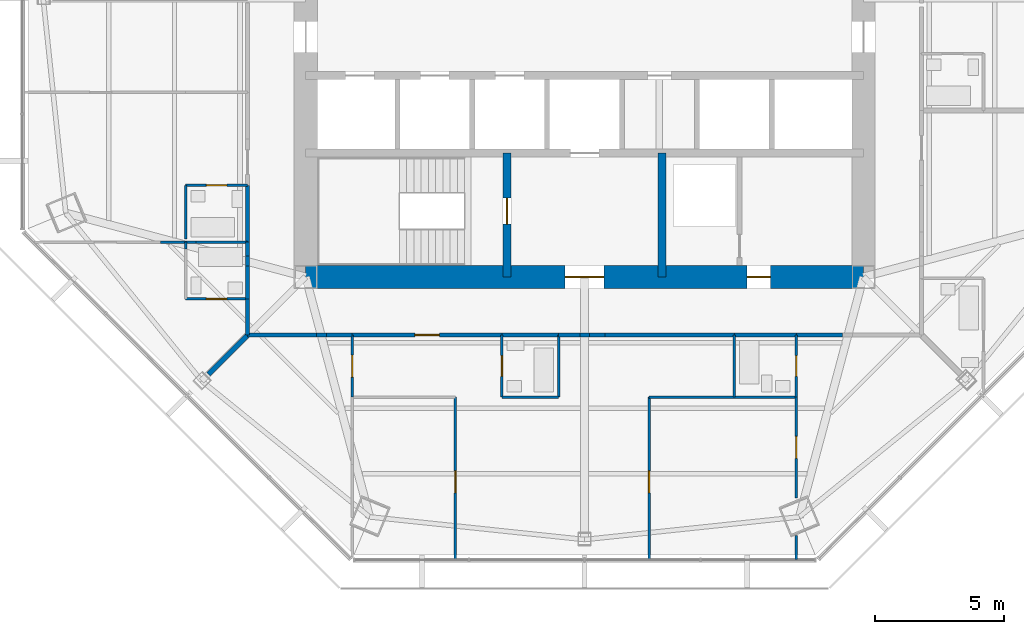
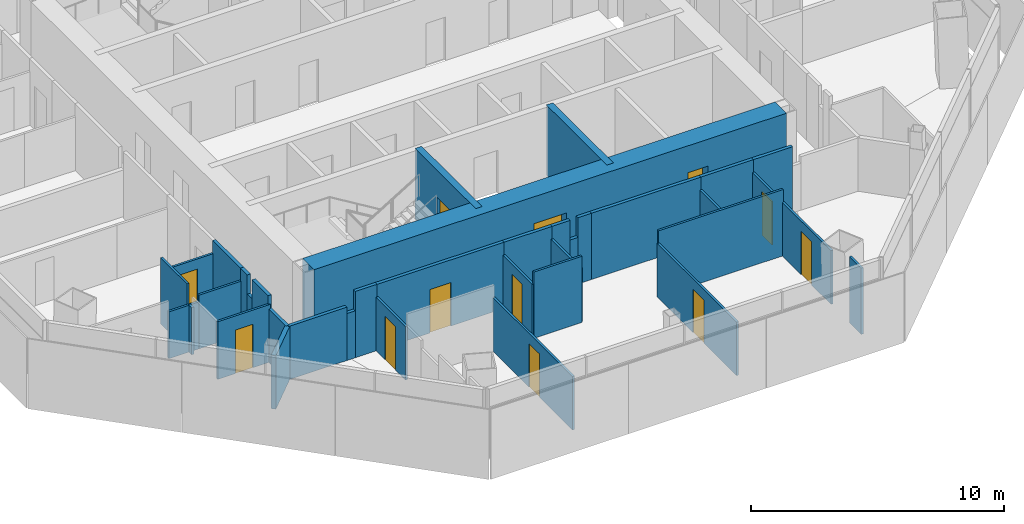
# One storey, part 9 of 15: 37 walls, 12 doors, 12 openings.
"""IFC4 building model written with IfcOpenShell, lengths in metres."""

from ifc_helpers import new_model, si_unit, direction, frame, frame_2d, origin, place, context, subcontext, project, spatial, rectangle, extrude, material, layer, layer_set, type_object, element, fill, save


model = new_model("IFC4")

# Units and contexts
model_context = context("Model", 3, precision=1e-05, world=origin(), true_north=direction((0.0, 1.0)))
body_context = subcontext(model_context, "Body", "Model", "MODEL_VIEW")
ifc_project = project(units=[si_unit("LENGTHUNIT", "METRE"), si_unit("AREAUNIT", "SQUARE_METRE"), si_unit("VOLUMEUNIT", "CUBIC_METRE"), si_unit("PLANEANGLEUNIT", "RADIAN"), si_unit("MASSUNIT", "GRAM", prefix="KILO")], contexts=[model_context])

# Site, building, storey
site_placement = place(None, origin())
site = spatial("IfcSite", under=ifc_project, at=site_placement, CompositionType="ELEMENT")
building_placement = place(site_placement, origin())
building = spatial("IfcBuilding", under=site, at=building_placement, Name="Mashrafa Tower", CompositionType="ELEMENT")
storey_placement = place(building_placement, frame((0.0, 0.0, 221.0)))
storey = spatial("IfcBuildingStorey", under=building, at=storey_placement, Name="L51", CompositionType="ELEMENT", Elevation=221.0)

# Wall
ifc_material_1 = material(Name="Gypsum board on steel studs", Category="steel")
ifc_layer_1 = layer(ifc_material_1, 0.199951171875)
ifc_layer_set_1 = layer_set([ifc_layer_1], Name="Acoustic partition 200 1 hr")
wall_type_1 = type_object("IfcWallType", Name="Acoustic partition 200 1 hr", PredefinedType="PARTITIONING", material=ifc_layer_set_1)
wall_1_placement = place(storey_placement, frame((-14.564697265625, -14.564697265625, 0.0), z_axis=(0.0, 0.0, 1.0), x_axis=(0.707106781187, 0.707106781187, 0.0)))
element("IfcWall", 1, at=wall_1_placement, inside=storey, type_object=wall_type_1, Name="Acoustic wall L51-105", PredefinedType="PARTITIONING", context=body_context, shape_type="SweptSolid", body=[
    extrude(rectangle(XDim=2.14208984375, YDim=0.199951171875, at=frame_2d((1.071044921875, 0.0))), origin(), (0.0, 0.0, 1.0), 2.577880859375),
])

# Wall, opening, door
ifc_material_2 = material(Name="Concrete C50/60", Category="concrete")
ifc_layer_2 = layer(ifc_material_2, 0.300048828125)
ifc_layer_set_2 = layer_set([ifc_layer_2], Name="Core wall 300 C50/60")
wall_type_2 = type_object("IfcWallType", Name="Core wall 300 C50/60", PredefinedType="SOLIDWALL", material=ifc_layer_set_2)
wall_2_placement = place(storey_placement, frame((-3.0, -6.0, 0.0), z_axis=(0.0, 0.0, 1.0), x_axis=(0.0, -1.0, 0.0)))
wall_2 = element("IfcWall", 2, at=wall_2_placement, inside=storey, type_object=wall_type_2, Name="Core wall CX-SW L51", PredefinedType="SOLIDWALL", context=body_context, shape_type="SweptSolid", body=[
    extrude(rectangle(XDim=4.800048828125, YDim=0.300048828125, at=frame_2d((2.39990234375, 0.0))), origin(), (0.0, 0.0, 1.0), 3.39990234375),
])
opening_1_placement = place(wall_2_placement, frame((1.75, 0.0, 0.0)))
opening_1 = element("IfcOpeningElement", 3, at=opening_1_placement, cuts=wall_2, Name="Opening 51.038", PredefinedType="OPENING", context=body_context, shape_type="SweptSolid", body=[
    extrude(rectangle(XDim=1.0, YDim=2.10009765625, at=frame_2d((0.5, 1.050048828125))), frame((0.0, 0.159912109375, 0.0), z_axis=(0.0, -1.0, 0.0), x_axis=(1.0, 0.0, 0.0)), (0.0, 0.0, 1.0), 0.320068359375),
])
ifc_material_3 = material(Name="Steel door", Category="steel")
door_type_1 = type_object("IfcDoorType", Name="Stair door 1000 x 2100 90 min", OperationType="USERDEFINED", PredefinedType="DOOR", material=ifc_material_3)
door_1_placement = place(opening_1_placement, frame((1.0, 0.0, 0.0), z_axis=(0.0, 0.0, 1.0), x_axis=(-1.0, 0.0, 0.0)))
door_1 = element("IfcDoor", 4, at=door_1_placement, inside=storey, type_object=door_type_1, Name="Stair S3 door L51", OperationType="SINGLE_SWING_RIGHT", OverallHeight=2.10009765625, OverallWidth=1.0, PredefinedType="DOOR", context=body_context, shape_type="SweptSolid", body=[
    extrude(rectangle(XDim=1.0, YDim=2.10009765625, at=frame_2d((0.5, 1.050048828125))), frame((0.0, 0.02490234375, 0.0), z_axis=(0.0, -1.0, 0.0), x_axis=(1.0, 0.0, 0.0)), (0.0, 0.0, 1.0), 0.050048828125),
])
fill(opening_1, door_1)

# Wall
wall_3_placement = place(storey_placement, frame((3.0, -6.0, 0.0), z_axis=(0.0, 0.0, 1.0), x_axis=(0.0, -1.0, 0.0)))
element("IfcWall", 5, at=wall_3_placement, inside=storey, type_object=wall_type_2, Name="Core wall CX-SE L51", PredefinedType="SOLIDWALL", context=body_context, shape_type="SweptSolid", body=[
    extrude(rectangle(XDim=4.800048828125, YDim=0.300048828125, at=frame_2d((2.39990234375, 0.0))), origin(), (0.0, 0.0, 1.0), 3.39990234375),
])

# Wall, openings, doors
ifc_material_4 = material(Name="Concrete C50/60", Category="concrete")
ifc_layer_3 = layer(ifc_material_4, 0.89990234375)
ifc_layer_set_3 = layer_set([ifc_layer_3], Name="Core wall 900 C50/60")
wall_type_3 = type_object("IfcWallType", Name="Core wall 900 C50/60", PredefinedType="SOLIDWALL", material=ifc_layer_set_3)
wall_4_placement = place(storey_placement, frame((-10.800048828125, -10.800048828125, 0.0), z_axis=(0.0, 0.0, 1.0), x_axis=(1.0, 0.0, 0.0)))
wall_4 = element("IfcWall", 6, at=wall_4_placement, inside=storey, type_object=wall_type_3, Name="Core wall CW-S L51", PredefinedType="SOLIDWALL", context=body_context, shape_type="SweptSolid", body=[
    extrude(rectangle(XDim=21.60009765625, YDim=0.89990234375, at=frame_2d((10.800048828125, 0.0))), origin(), (0.0, 0.0, 1.0), 3.39990234375),
])
opening_2_placement = place(wall_4_placement, frame((10.050048828125, 0.0, 0.0)))
opening_2 = element("IfcOpeningElement", 7, at=opening_2_placement, cuts=wall_4, Name="Opening 51.035", PredefinedType="OPENING", context=body_context, shape_type="SweptSolid", body=[
    extrude(rectangle(XDim=1.5, YDim=2.10009765625, at=frame_2d((0.75, 1.050048828125))), frame((0.0, 0.4599609375, 0.0), z_axis=(0.0, -1.0, 0.0), x_axis=(1.0, 0.0, 0.0)), (0.0, 0.0, 1.0), 0.919921875),
])
opening_3_placement = place(wall_4_placement, frame((17.10009765625, 0.0, 0.0)))
opening_3 = element("IfcOpeningElement", 8, at=opening_3_placement, cuts=wall_4, Name="Opening 51.039", PredefinedType="OPENING", context=body_context, shape_type="SweptSolid", body=[
    extrude(rectangle(XDim=0.89990234375, YDim=2.10009765625, at=frame_2d((0.449951171875, 1.050048828125))), frame((0.0, 0.4599609375, 0.0), z_axis=(0.0, -1.0, 0.0), x_axis=(1.0, 0.0, 0.0)), (0.0, 0.0, 1.0), 0.919921875),
])
ifc_material_5 = material(Name="Steel door", Category="steel")
door_type_2 = type_object("IfcDoorType", Name="Lobby door pair 1500 x 2100 90 min", OperationType="DOUBLE_DOOR_SINGLE_SWING", PredefinedType="DOOR", material=ifc_material_5)
door_2_placement = place(opening_2_placement, origin())
door_2 = element("IfcDoor", 9, at=door_2_placement, inside=storey, type_object=door_type_2, Name="Fire-fighting lobby F2 door L51", OperationType="DOUBLE_DOOR_SINGLE_SWING", OverallHeight=2.10009765625, OverallWidth=1.5, PredefinedType="DOOR", context=body_context, shape_type="SweptSolid", body=[
    extrude(rectangle(XDim=1.5, YDim=2.10009765625, at=frame_2d((0.75, 1.050048828125))), frame((0.0, 0.02490234375, 0.0), z_axis=(0.0, -1.0, 0.0), x_axis=(1.0, 0.0, 0.0)), (0.0, 0.0, 1.0), 0.050048828125),
])
fill(opening_2, door_2)
ifc_material_6 = material(Name="Steel door", Category="steel")
door_type_3 = type_object("IfcDoorType", Name="Service door 900 x 2100 90 min", OperationType="USERDEFINED", PredefinedType="DOOR", material=ifc_material_6)
door_3_placement = place(opening_3_placement, origin())
door_3 = element("IfcDoor", 10, at=door_3_placement, inside=storey, type_object=door_type_3, Name="Electrical Room L51 door", OperationType="SINGLE_SWING_LEFT", OverallHeight=2.10009765625, OverallWidth=0.89990234375, PredefinedType="DOOR", context=body_context, shape_type="SweptSolid", body=[
    extrude(rectangle(XDim=0.89990234375, YDim=2.10009765625, at=frame_2d((0.449951171875, 1.050048828125))), frame((0.0, 0.02490234375, 0.0), z_axis=(0.0, -1.0, 0.0), x_axis=(1.0, 0.0, 0.0)), (0.0, 0.0, 1.0), 0.050048828125),
])
fill(opening_3, door_3)

# Walls
ifc_material_7 = material(Name="Gypsum board on steel studs", Category="steel")
ifc_layer_4 = layer(ifc_material_7, 0.14990234375)
ifc_layer_set_4 = layer_set([ifc_layer_4], Name="Corridor partition 150 1 hr")
wall_type_4 = type_object("IfcWallType", Name="Corridor partition 150 1 hr", PredefinedType="PARTITIONING", material=ifc_layer_set_4)
wall_5_placement = place(storey_placement, frame((-13.050048828125, -9.448974609375, 0.0), z_axis=(0.0, 0.0, 1.0), x_axis=(0.0, -1.0, 0.0)))
element("IfcWall", 11, at=wall_5_placement, inside=storey, type_object=wall_type_4, Name="Corridor wall L51-040", PredefinedType="PARTITIONING", context=body_context, shape_type="SweptSolid", body=[
    extrude(rectangle(XDim=0.545654296875, YDim=0.14990234375, at=frame_2d((0.27294921875, 0.0))), origin(), (0.0, 0.0, 1.0), 3.199951171875),
])
wall_6_placement = place(storey_placement, frame((-13.050048828125, -10.372802734375, 0.0), z_axis=(0.0, 0.0, 1.0), x_axis=(0.0, -1.0, 0.0)))
element("IfcWall", 12, at=wall_6_placement, inside=storey, type_object=wall_type_4, Name="Corridor wall L51-041", PredefinedType="PARTITIONING", context=body_context, shape_type="SweptSolid", body=[
    extrude(rectangle(XDim=1.278076171875, YDim=0.14990234375, at=frame_2d((0.63916015625, 0.0))), origin(), (0.0, 0.0, 1.0), 3.199951171875),
])
wall_7_placement = place(storey_placement, frame((-13.050048828125, -9.99462890625, 0.0), z_axis=(0.0, 0.0, 1.0), x_axis=(0.0, -1.0, 0.0)))
element("IfcWall", 13, at=wall_7_placement, inside=storey, type_object=wall_type_4, Name="Corridor wall L51-042", PredefinedType="PARTITIONING", context=body_context, shape_type="SweptSolid", body=[
    extrude(rectangle(XDim=0.378173828125, YDim=0.14990234375, at=frame_2d((0.18896484375, 0.0))), origin(), (0.0, 0.0, 1.0), 2.26806640625),
])
wall_8_placement = place(storey_placement, frame((-13.050048828125, -11.64892578125, 0.0), z_axis=(0.0, 0.0, 1.0), x_axis=(0.0, -1.0, 0.0)))
element("IfcWall", 14, at=wall_8_placement, inside=storey, type_object=wall_type_4, Name="Corridor wall L51-043", PredefinedType="PARTITIONING", context=body_context, shape_type="SweptSolid", body=[
    extrude(rectangle(XDim=1.401123046875, YDim=0.14990234375, at=frame_2d((0.70068359375, 0.0))), origin(), (0.0, 0.0, 1.0), 2.577880859375),
])
wall_9_placement = place(storey_placement, frame((-13.050048828125, -7.2490234375, 0.0), z_axis=(0.0, 0.0, 1.0), x_axis=(0.0, -1.0, 0.0)))
element("IfcWall", 15, at=wall_9_placement, inside=storey, type_object=wall_type_4, Name="Corridor wall L51-044", PredefinedType="PARTITIONING", context=body_context, shape_type="SweptSolid", body=[
    extrude(rectangle(XDim=2.201904296875, YDim=0.14990234375, at=frame_2d((1.10107421875, 0.0))), origin(), (0.0, 0.0, 1.0), 3.199951171875),
])
wall_10_placement = place(storey_placement, frame((-13.050048828125, -13.050048828125, 0.0), z_axis=(0.0, 0.0, 1.0), x_axis=(1.0, 0.0, 0.0)))
element("IfcWall", 16, at=wall_10_placement, inside=storey, type_object=wall_type_4, Name="Corridor wall L51-048", PredefinedType="PARTITIONING", context=body_context, shape_type="SweptSolid", body=[
    extrude(rectangle(XDim=2.67724609375, YDim=0.14990234375, at=frame_2d((1.338623046875, 0.0))), origin(), (0.0, 0.0, 1.0), 2.577880859375),
])
wall_11_placement = place(storey_placement, frame((-9.99462890625, -13.050048828125, 0.0), z_axis=(0.0, 0.0, 1.0), x_axis=(1.0, 0.0, 0.0)))
element("IfcWall", 17, at=wall_11_placement, inside=storey, type_object=wall_type_4, Name="Corridor wall L51-049", PredefinedType="PARTITIONING", context=body_context, shape_type="SweptSolid", body=[
    extrude(rectangle(XDim=0.99560546875, YDim=0.14990234375, at=frame_2d((0.497802734375, 0.0))), origin(), (0.0, 0.0, 1.0), 3.199951171875),
])
wall_12_placement = place(storey_placement, frame((-10.372802734375, -13.050048828125, 0.0), z_axis=(0.0, 0.0, 1.0), x_axis=(1.0, 0.0, 0.0)))
element("IfcWall", 18, at=wall_12_placement, inside=storey, type_object=wall_type_4, Name="Corridor wall L51-050", PredefinedType="PARTITIONING", context=body_context, shape_type="SweptSolid", body=[
    extrude(rectangle(XDim=0.378173828125, YDim=0.14990234375, at=frame_2d((0.18896484375, 0.0))), origin(), (0.0, 0.0, 1.0), 2.26806640625),
])
wall_13_placement = place(storey_placement, frame((-3.200927734375, -13.050048828125, 0.0), z_axis=(0.0, 0.0, 1.0), x_axis=(1.0, 0.0, 0.0)))
element("IfcWall", 19, at=wall_13_placement, inside=storey, type_object=wall_type_4, Name="Corridor wall L51-051", PredefinedType="PARTITIONING", context=body_context, shape_type="SweptSolid", body=[
    extrude(rectangle(XDim=2.201904296875, YDim=0.14990234375, at=frame_2d((1.10107421875, 0.0))), origin(), (0.0, 0.0, 1.0), 3.199951171875),
])
wall_14_placement = place(storey_placement, frame((-1.0009765625, -13.050048828125, 0.0), z_axis=(0.0, 0.0, 1.0), x_axis=(1.0, 0.0, 0.0)))
element("IfcWall", 20, at=wall_14_placement, inside=storey, type_object=wall_type_4, Name="Corridor wall L51-052", PredefinedType="PARTITIONING", context=body_context, shape_type="SweptSolid", body=[
    extrude(rectangle(XDim=0.8173828125, YDim=0.14990234375, at=frame_2d((0.40869140625, 0.0))), origin(), (0.0, 0.0, 1.0), 3.199951171875),
])
wall_15_placement = place(storey_placement, frame((0.18359375, -13.050048828125, 0.0), z_axis=(0.0, 0.0, 1.0), x_axis=(1.0, 0.0, 0.0)))
element("IfcWall", 21, at=wall_15_placement, inside=storey, type_object=wall_type_4, Name="Corridor wall L51-053", PredefinedType="PARTITIONING", context=body_context, shape_type="SweptSolid", body=[
    extrude(rectangle(XDim=0.617431640625, YDim=0.14990234375, at=frame_2d((0.30859375, 0.0))), origin(), (0.0, 0.0, 1.0), 3.199951171875),
])
wall_16_placement = place(storey_placement, frame((-0.18359375, -13.050048828125, 0.0), z_axis=(0.0, 0.0, 1.0), x_axis=(1.0, 0.0, 0.0)))
element("IfcWall", 22, at=wall_16_placement, inside=storey, type_object=wall_type_4, Name="Corridor wall L51-054", PredefinedType="PARTITIONING", context=body_context, shape_type="SweptSolid", body=[
    extrude(rectangle(XDim=0.3671875, YDim=0.14990234375, at=frame_2d((0.18359375, 0.0))), origin(), (0.0, 0.0, 1.0), 2.2529296875),
])
wall_17_placement = place(storey_placement, frame((5.799072265625, -13.050048828125, 0.0), z_axis=(0.0, 0.0, 1.0), x_axis=(1.0, 0.0, 0.0)))
element("IfcWall", 23, at=wall_17_placement, inside=storey, type_object=wall_type_4, Name="Corridor wall L51-055", PredefinedType="PARTITIONING", context=body_context, shape_type="SweptSolid", body=[
    extrude(rectangle(XDim=2.40185546875, YDim=0.14990234375, at=frame_2d((1.200927734375, 0.0))), origin(), (0.0, 0.0, 1.0), 3.199951171875),
])
wall_18_placement = place(storey_placement, frame((8.198974609375, -13.050048828125, 0.0), z_axis=(0.0, 0.0, 1.0), x_axis=(1.0, 0.0, 0.0)))
element("IfcWall", 24, at=wall_18_placement, inside=storey, type_object=wall_type_4, Name="Corridor wall L51-056", PredefinedType="PARTITIONING", context=body_context, shape_type="SweptSolid", body=[
    extrude(rectangle(XDim=1.795654296875, YDim=0.14990234375, at=frame_2d((0.89794921875, 0.0))), origin(), (0.0, 0.0, 1.0), 3.199951171875),
])

# Wall, opening, door
wall_19_placement = place(storey_placement, frame((-9.0009765625, -13.050048828125, 0.0), z_axis=(0.0, 0.0, 1.0), x_axis=(1.0, 0.0, 0.0)))
wall_19 = element("IfcWall", 25, at=wall_19_placement, inside=storey, type_object=wall_type_4, Name="Corridor wall L51-059", PredefinedType="PARTITIONING", context=body_context, shape_type="SweptSolid", body=[
    extrude(rectangle(XDim=5.802001953125, YDim=0.14990234375, at=frame_2d((2.90087890625, 0.0))), origin(), (0.0, 0.0, 1.0), 3.199951171875),
])
opening_4_placement = place(wall_19_placement, frame((2.426025390625, 0.0, 0.0)))
opening_4 = element("IfcOpeningElement", 26, at=opening_4_placement, cuts=wall_19, Name="Opening 51.028", PredefinedType="OPENING", context=body_context, shape_type="SweptSolid", body=[
    extrude(rectangle(XDim=0.949951171875, YDim=2.10009765625, at=frame_2d((0.47509765625, 1.050048828125))), frame((0.0, 0.0849609375, 0.0), z_axis=(0.0, -1.0, 0.0), x_axis=(1.0, 0.0, 0.0)), (0.0, 0.0, 1.0), 0.169921875),
])
ifc_material_8 = material(Name="Steel door", Category="steel")
door_type_4 = type_object("IfcDoorType", Name="Residence entrance door 950 x 2100 20 min", OperationType="USERDEFINED", PredefinedType="DOOR", material=ifc_material_8)
door_4_placement = place(opening_4_placement, frame((0.949951171875, 0.0, 0.0), z_axis=(0.0, 0.0, 1.0), x_axis=(-1.0, 0.0, 0.0)))
door_4 = element("IfcDoor", 27, at=door_4_placement, inside=storey, type_object=door_type_4, Name="Apartment 5108 Living Room door", OperationType="SINGLE_SWING_RIGHT", OverallHeight=2.10009765625, OverallWidth=0.949951171875, PredefinedType="DOOR", context=body_context, shape_type="SweptSolid", body=[
    extrude(rectangle(XDim=0.949951171875, YDim=2.10009765625, at=frame_2d((0.47509765625, 1.050048828125))), frame((0.0, 0.02490234375, 0.0), z_axis=(0.0, -1.0, 0.0), x_axis=(1.0, 0.0, 0.0)), (0.0, 0.0, 1.0), 0.050048828125),
])
fill(opening_4, door_4)

# Walls
wall_20_placement = place(storey_placement, frame((0.799072265625, -13.050048828125, 0.0), z_axis=(0.0, 0.0, 1.0), x_axis=(1.0, 0.0, 0.0)))
element("IfcWall", 28, at=wall_20_placement, inside=storey, type_object=wall_type_4, Name="Corridor wall L51-060", PredefinedType="PARTITIONING", context=body_context, shape_type="SweptSolid", body=[
    extrude(rectangle(XDim=5.001953125, YDim=0.14990234375, at=frame_2d((2.5009765625, 0.0))), origin(), (0.0, 0.0, 1.0), 3.199951171875),
])
ifc_material_9 = material(Name="Gypsum board on steel studs", Category="steel")
ifc_layer_5 = layer(ifc_material_9, 0.10009765625)
ifc_layer_set_5 = layer_set([ifc_layer_5], Name="Partition 100")
wall_type_5 = type_object("IfcWallType", Name="Partition 100", PredefinedType="PARTITIONING", material=ifc_layer_set_5)
wall_21_placement = place(storey_placement, frame((-15.449951171875, -9.449951171875, 0.0), z_axis=(0.0, 0.0, 1.0), x_axis=(0.0, -1.0, 0.0)))
element("IfcWall", 29, at=wall_21_placement, inside=storey, type_object=wall_type_5, Name="Partition wall L51-099", PredefinedType="PARTITIONING", context=body_context, shape_type="SweptSolid", body=[
    extrude(rectangle(XDim=0.265625, YDim=0.10009765625, at=frame_2d((0.1328125, 0.0))), origin(), (0.0, 0.0, 1.0), 2.26806640625),
])

# Wall, opening, door
wall_22_placement = place(storey_placement, frame((-15.449951171875, -11.64990234375, 0.0), z_axis=(0.0, 0.0, 1.0), x_axis=(1.0, 0.0, 0.0)))
wall_22 = element("IfcWall", 30, at=wall_22_placement, inside=storey, type_object=wall_type_5, Name="Partition wall L51-100", PredefinedType="PARTITIONING", context=body_context, shape_type="SweptSolid", body=[
    extrude(rectangle(XDim=2.39990234375, YDim=0.10009765625, at=frame_2d((1.199951171875, 0.0))), origin(), (0.0, 0.0, 1.0), 2.7861328125),
])
opening_5_placement = place(wall_22_placement, frame((0.800048828125, 0.0, 0.0)))
opening_5 = element("IfcOpeningElement", 31, at=opening_5_placement, cuts=wall_22, Name="Opening 51.018", PredefinedType="OPENING", context=body_context, shape_type="SweptSolid", body=[
    extrude(rectangle(XDim=0.800048828125, YDim=2.10009765625, at=frame_2d((0.39990234375, 1.050048828125))), frame((0.0, 0.06005859375, 0.0), z_axis=(0.0, -1.0, 0.0), x_axis=(1.0, 0.0, 0.0)), (0.0, 0.0, 1.0), 0.1201171875),
])
ifc_material_10 = material(Name="Timber door", Category="wood")
door_type_5 = type_object("IfcDoorType", Name="Bathroom door 800 x 2100", OperationType="USERDEFINED", PredefinedType="DOOR", material=ifc_material_10)
door_5_placement = place(opening_5_placement, origin())
door_5 = element("IfcDoor", 32, at=door_5_placement, inside=storey, type_object=door_type_5, Name="Apartment 5107 En-suite Bathroom door", OperationType="SINGLE_SWING_RIGHT", OverallHeight=2.10009765625, OverallWidth=0.800048828125, PredefinedType="DOOR", context=body_context, shape_type="SweptSolid", body=[
    extrude(rectangle(XDim=0.800048828125, YDim=2.10009765625, at=frame_2d((0.39990234375, 1.050048828125))), frame((0.0, 0.02490234375, 0.0), z_axis=(0.0, -1.0, 0.0), x_axis=(1.0, 0.0, 0.0)), (0.0, 0.0, 1.0), 0.050048828125),
])
fill(opening_5, door_5)

# Walls
wall_23_placement = place(storey_placement, frame((-13.050048828125, -9.449951171875, 0.0), z_axis=(0.0, 0.0, 1.0), x_axis=(-1.0, 0.0, 0.0)))
element("IfcWall", 33, at=wall_23_placement, inside=storey, type_object=wall_type_5, Name="Partition wall L51-101", PredefinedType="PARTITIONING", context=body_context, shape_type="SweptSolid", body=[
    extrude(rectangle(XDim=1.98876953125, YDim=0.10009765625, at=frame_2d((0.994384765625, 0.0))), origin(), (0.0, 0.0, 1.0), 2.590576171875),
])
wall_24_placement = place(storey_placement, frame((-15.038818359375, -9.449951171875, 0.0), z_axis=(0.0, 0.0, 1.0), x_axis=(-1.0, 0.0, 0.0)))
element("IfcWall", 34, at=wall_24_placement, inside=storey, type_object=wall_type_5, Name="Partition wall L51-102", PredefinedType="PARTITIONING", context=body_context, shape_type="SweptSolid", body=[
    extrude(rectangle(XDim=1.380859375, YDim=0.10009765625, at=frame_2d((0.6904296875, 0.0))), origin(), (0.0, 0.0, 1.0), 2.26806640625),
])

# Wall, opening, door
wall_25_placement = place(storey_placement, frame((-13.050048828125, -7.25, 0.0), z_axis=(0.0, 0.0, 1.0), x_axis=(-1.0, 0.0, 0.0)))
wall_25 = element("IfcWall", 35, at=wall_25_placement, inside=storey, type_object=wall_type_5, Name="Partition wall L51-106", PredefinedType="PARTITIONING", context=body_context, shape_type="SweptSolid", body=[
    extrude(rectangle(XDim=2.39990234375, YDim=0.10009765625, at=frame_2d((1.199951171875, 0.0))), origin(), (0.0, 0.0, 1.0), 2.590576171875),
])
opening_6_placement = place(wall_25_placement, frame((0.800048828125, 0.0, 0.0)))
opening_6 = element("IfcOpeningElement", 36, at=opening_6_placement, cuts=wall_25, Name="Opening 51.020", PredefinedType="OPENING", context=body_context, shape_type="SweptSolid", body=[
    extrude(rectangle(XDim=0.800048828125, YDim=2.10009765625, at=frame_2d((0.39990234375, 1.050048828125))), frame((0.0, 0.06005859375, 0.0), z_axis=(0.0, -1.0, 0.0), x_axis=(1.0, 0.0, 0.0)), (0.0, 0.0, 1.0), 0.1201171875),
])
door_6_placement = place(opening_6_placement, origin())
door_6 = element("IfcDoor", 37, at=door_6_placement, inside=storey, type_object=door_type_5, Name="Apartment 5107 Bathroom door", OperationType="SINGLE_SWING_LEFT", OverallHeight=2.10009765625, OverallWidth=0.800048828125, PredefinedType="DOOR", context=body_context, shape_type="SweptSolid", body=[
    extrude(rectangle(XDim=0.800048828125, YDim=2.10009765625, at=frame_2d((0.39990234375, 1.050048828125))), frame((0.0, 0.02490234375, 0.0), z_axis=(0.0, -1.0, 0.0), x_axis=(1.0, 0.0, 0.0)), (0.0, 0.0, 1.0), 0.050048828125),
])
fill(opening_6, door_6)

# Wall
wall_26_placement = place(storey_placement, frame((-15.449951171875, -7.25, 0.0), z_axis=(0.0, 0.0, 1.0), x_axis=(0.0, -1.0, 0.0)))
element("IfcWall", 38, at=wall_26_placement, inside=storey, type_object=wall_type_5, Name="Partition wall L51-107", PredefinedType="PARTITIONING", context=body_context, shape_type="SweptSolid", body=[
    extrude(rectangle(XDim=2.08740234375, YDim=0.10009765625, at=frame_2d((1.043701171875, 0.0))), origin(), (0.0, 0.0, 1.0), 3.199951171875),
])

# Wall, opening, door
wall_27_placement = place(storey_placement, frame((-9.0, -15.450927734375, 0.0), z_axis=(0.0, 0.0, 1.0), x_axis=(0.0, 1.0, 0.0)))
wall_27 = element("IfcWall", 39, at=wall_27_placement, inside=storey, type_object=wall_type_5, Name="Partition wall L51-114", PredefinedType="PARTITIONING", context=body_context, shape_type="SweptSolid", body=[
    extrude(rectangle(XDim=2.40087890625, YDim=0.10009765625, at=frame_2d((1.200439453125, 0.0))), origin(), (0.0, 0.0, 1.0), 2.590576171875),
])
opening_7_placement = place(wall_27_placement, frame((0.775390625, 0.0, 0.0)))
opening_7 = element("IfcOpeningElement", 40, at=opening_7_placement, cuts=wall_27, Name="Opening 51.023", PredefinedType="OPENING", context=body_context, shape_type="SweptSolid", body=[
    extrude(rectangle(XDim=0.85009765625, YDim=2.10009765625, at=frame_2d((0.425048828125, 1.050048828125))), frame((0.0, 0.06005859375, 0.0), z_axis=(0.0, -1.0, 0.0), x_axis=(1.0, 0.0, 0.0)), (0.0, 0.0, 1.0), 0.1201171875),
])
ifc_material_11 = material(Name="Timber door", Category="wood")
door_type_6 = type_object("IfcDoorType", Name="Bedroom door 850 x 2100", OperationType="USERDEFINED", PredefinedType="DOOR", material=ifc_material_11)
door_7_placement = place(opening_7_placement, origin())
door_7 = element("IfcDoor", 41, at=door_7_placement, inside=storey, type_object=door_type_6, Name="Apartment 5108 Bedroom 1 door", OperationType="SINGLE_SWING_RIGHT", OverallHeight=2.10009765625, OverallWidth=0.85009765625, PredefinedType="DOOR", context=body_context, shape_type="SweptSolid", body=[
    extrude(rectangle(XDim=0.85009765625, YDim=2.10009765625, at=frame_2d((0.425048828125, 1.050048828125))), frame((0.0, 0.02490234375, 0.0), z_axis=(0.0, -1.0, 0.0), x_axis=(1.0, 0.0, 0.0)), (0.0, 0.0, 1.0), 0.050048828125),
])
fill(opening_7, door_7)

wall_28_placement = place(storey_placement, frame((-5.0, -21.746826171875, 0.0), z_axis=(0.0, 0.0, 1.0), x_axis=(0.0, 1.0, 0.0)))
wall_28 = element("IfcWall", 42, at=wall_28_placement, inside=storey, type_object=wall_type_5, Name="Partition wall L51-115", PredefinedType="PARTITIONING", context=body_context, shape_type="SweptSolid", body=[
    extrude(rectangle(XDim=6.296875, YDim=0.10009765625, at=frame_2d((3.1484375, 0.0))), origin(), (0.0, 0.0, 1.0), 2.590576171875),
])
opening_8_placement = place(wall_28_placement, frame((2.58544921875, 0.0, 0.0)))
opening_8 = element("IfcOpeningElement", 43, at=opening_8_placement, cuts=wall_28, Name="Opening 51.024", PredefinedType="OPENING", context=body_context, shape_type="SweptSolid", body=[
    extrude(rectangle(XDim=0.85009765625, YDim=2.10009765625, at=frame_2d((0.425048828125, 1.050048828125))), frame((0.0, 0.06005859375, 0.0), z_axis=(0.0, -1.0, 0.0), x_axis=(1.0, 0.0, 0.0)), (0.0, 0.0, 1.0), 0.1201171875),
])
door_8_placement = place(opening_8_placement, origin())
door_8 = element("IfcDoor", 44, at=door_8_placement, inside=storey, type_object=door_type_6, Name="Apartment 5108 Bedroom 2 door", OperationType="SINGLE_SWING_LEFT", OverallHeight=2.10009765625, OverallWidth=0.85009765625, PredefinedType="DOOR", context=body_context, shape_type="SweptSolid", body=[
    extrude(rectangle(XDim=0.85009765625, YDim=2.10009765625, at=frame_2d((0.425048828125, 1.050048828125))), frame((0.0, 0.02490234375, 0.0), z_axis=(0.0, -1.0, 0.0), x_axis=(1.0, 0.0, 0.0)), (0.0, 0.0, 1.0), 0.050048828125),
])
fill(opening_8, door_8)

# Wall
wall_29_placement = place(storey_placement, frame((-1.0, -15.449951171875, 0.0), z_axis=(0.0, 0.0, 1.0), x_axis=(0.0, 1.0, 0.0)))
element("IfcWall", 45, at=wall_29_placement, inside=storey, type_object=wall_type_5, Name="Partition wall L51-117", PredefinedType="PARTITIONING", context=body_context, shape_type="SweptSolid", body=[
    extrude(rectangle(XDim=2.39990234375, YDim=0.10009765625, at=frame_2d((1.199951171875, 0.0))), origin(), (0.0, 0.0, 1.0), 2.590576171875),
])

# Wall, opening, door
wall_30_placement = place(storey_placement, frame((-3.199951171875, -13.050048828125, 0.0), z_axis=(0.0, 0.0, 1.0), x_axis=(0.0, -1.0, 0.0)))
wall_30 = element("IfcWall", 46, at=wall_30_placement, inside=storey, type_object=wall_type_5, Name="Partition wall L51-118", PredefinedType="PARTITIONING", context=body_context, shape_type="SweptSolid", body=[
    extrude(rectangle(XDim=2.39990234375, YDim=0.10009765625, at=frame_2d((1.199951171875, 0.0))), origin(), (0.0, 0.0, 1.0), 2.590576171875),
])
opening_9_placement = place(wall_30_placement, frame((0.800048828125, 0.0, 0.0)))
opening_9 = element("IfcOpeningElement", 47, at=opening_9_placement, cuts=wall_30, Name="Opening 51.025", PredefinedType="OPENING", context=body_context, shape_type="SweptSolid", body=[
    extrude(rectangle(XDim=0.800048828125, YDim=2.10009765625, at=frame_2d((0.39990234375, 1.050048828125))), frame((0.0, 0.06005859375, 0.0), z_axis=(0.0, -1.0, 0.0), x_axis=(1.0, 0.0, 0.0)), (0.0, 0.0, 1.0), 0.1201171875),
])
door_9_placement = place(opening_9_placement, origin())
door_9 = element("IfcDoor", 48, at=door_9_placement, inside=storey, type_object=door_type_5, Name="Apartment 5108 Bathroom door", OperationType="SINGLE_SWING_RIGHT", OverallHeight=2.10009765625, OverallWidth=0.800048828125, PredefinedType="DOOR", context=body_context, shape_type="SweptSolid", body=[
    extrude(rectangle(XDim=0.800048828125, YDim=2.10009765625, at=frame_2d((0.39990234375, 1.050048828125))), frame((0.0, 0.02490234375, 0.0), z_axis=(0.0, -1.0, 0.0), x_axis=(1.0, 0.0, 0.0)), (0.0, 0.0, 1.0), 0.050048828125),
])
fill(opening_9, door_9)

# Wall
wall_31_placement = place(storey_placement, frame((-3.199951171875, -15.449951171875, 0.0), z_axis=(0.0, 0.0, 1.0), x_axis=(1.0, 0.0, 0.0)))
element("IfcWall", 49, at=wall_31_placement, inside=storey, type_object=wall_type_5, Name="Partition wall L51-119", PredefinedType="PARTITIONING", context=body_context, shape_type="SweptSolid", body=[
    extrude(rectangle(XDim=2.199951171875, YDim=0.10009765625, at=frame_2d((1.10009765625, 0.0))), origin(), (0.0, 0.0, 1.0), 3.199951171875),
])

# Wall, opening, door
wall_32_placement = place(storey_placement, frame((8.199951171875, -15.449951171875, 0.0), z_axis=(0.0, 0.0, 1.0), x_axis=(0.0, 1.0, 0.0)))
wall_32 = element("IfcWall", 50, at=wall_32_placement, inside=storey, type_object=wall_type_5, Name="Partition wall L51-120", PredefinedType="PARTITIONING", context=body_context, shape_type="SweptSolid", body=[
    extrude(rectangle(XDim=2.39990234375, YDim=0.10009765625, at=frame_2d((1.199951171875, 0.0))), origin(), (0.0, 0.0, 1.0), 2.590576171875),
])
opening_10_placement = place(wall_32_placement, frame((0.800048828125, 0.0, 0.0)))
opening_10 = element("IfcOpeningElement", 51, at=opening_10_placement, cuts=wall_32, Name="Opening 51.026", PredefinedType="OPENING", context=body_context, shape_type="SweptSolid", body=[
    extrude(rectangle(XDim=0.800048828125, YDim=2.10009765625, at=frame_2d((0.39990234375, 1.050048828125))), frame((0.0, 0.06005859375, 0.0), z_axis=(0.0, -1.0, 0.0), x_axis=(1.0, 0.0, 0.0)), (0.0, 0.0, 1.0), 0.1201171875),
])
door_10_placement = place(opening_10_placement, origin())
door_10 = element("IfcDoor", 52, at=door_10_placement, inside=storey, type_object=door_type_5, Name="Apartment 5108 En-suite Bathroom door", OperationType="SINGLE_SWING_RIGHT", OverallHeight=2.10009765625, OverallWidth=0.800048828125, PredefinedType="DOOR", context=body_context, shape_type="SweptSolid", body=[
    extrude(rectangle(XDim=0.800048828125, YDim=2.10009765625, at=frame_2d((0.39990234375, 1.050048828125))), frame((0.0, 0.02490234375, 0.0), z_axis=(0.0, -1.0, 0.0), x_axis=(1.0, 0.0, 0.0)), (0.0, 0.0, 1.0), 0.050048828125),
])
fill(opening_10, door_10)

# Walls
wall_33_placement = place(storey_placement, frame((5.800048828125, -13.050048828125, 0.0), z_axis=(0.0, 0.0, 1.0), x_axis=(0.0, -1.0, 0.0)))
element("IfcWall", 53, at=wall_33_placement, inside=storey, type_object=wall_type_5, Name="Partition wall L51-121", PredefinedType="PARTITIONING", context=body_context, shape_type="SweptSolid", body=[
    extrude(rectangle(XDim=2.39990234375, YDim=0.10009765625, at=frame_2d((1.199951171875, 0.0))), origin(), (0.0, 0.0, 1.0), 2.590576171875),
])
wall_34_placement = place(storey_placement, frame((8.199951171875, -15.449951171875, 0.0), z_axis=(0.0, 0.0, 1.0), x_axis=(-1.0, 0.0, 0.0)))
element("IfcWall", 54, at=wall_34_placement, inside=storey, type_object=wall_type_5, Name="Partition wall L51-122", PredefinedType="PARTITIONING", context=body_context, shape_type="SweptSolid", body=[
    extrude(rectangle(XDim=5.699951171875, YDim=0.10009765625, at=frame_2d((2.85009765625, 0.0))), origin(), (0.0, 0.0, 1.0), 3.199951171875),
])

# Wall, opening, door
wall_35_placement = place(storey_placement, frame((8.199951171875, -15.448974609375, 0.0), z_axis=(0.0, 0.0, 1.0), x_axis=(0.0, -1.0, 0.0)))
wall_35 = element("IfcWall", 55, at=wall_35_placement, inside=storey, type_object=wall_type_5, Name="Partition wall L51-123", PredefinedType="PARTITIONING", context=body_context, shape_type="SweptSolid", body=[
    extrude(rectangle(XDim=3.90234375, YDim=0.10009765625, at=frame_2d((1.951171875, 0.0))), origin(), (0.0, 0.0, 1.0), 2.590576171875),
])
opening_11_placement = place(wall_35_placement, frame((1.526123046875, 0.0, 0.0)))
opening_11 = element("IfcOpeningElement", 56, at=opening_11_placement, cuts=wall_35, Name="Opening 51.027", PredefinedType="OPENING", context=body_context, shape_type="SweptSolid", body=[
    extrude(rectangle(XDim=0.85009765625, YDim=2.10009765625, at=frame_2d((0.425048828125, 1.050048828125))), frame((0.0, 0.06005859375, 0.0), z_axis=(0.0, -1.0, 0.0), x_axis=(1.0, 0.0, 0.0)), (0.0, 0.0, 1.0), 0.1201171875),
])
door_11_placement = place(opening_11_placement, origin())
door_11 = element("IfcDoor", 57, at=door_11_placement, inside=storey, type_object=door_type_6, Name="Apartment 5108 Bedroom 3 door", OperationType="SINGLE_SWING_RIGHT", OverallHeight=2.10009765625, OverallWidth=0.85009765625, PredefinedType="DOOR", context=body_context, shape_type="SweptSolid", body=[
    extrude(rectangle(XDim=0.85009765625, YDim=2.10009765625, at=frame_2d((0.425048828125, 1.050048828125))), frame((0.0, 0.02490234375, 0.0), z_axis=(0.0, -1.0, 0.0), x_axis=(1.0, 0.0, 0.0)), (0.0, 0.0, 1.0), 0.050048828125),
])
fill(opening_11, door_11)

# Wall
wall_36_placement = place(storey_placement, frame((8.199951171875, -20.804443359375, 0.0), z_axis=(0.0, 0.0, 1.0), x_axis=(0.0, -1.0, 0.0)))
element("IfcWall", 58, at=wall_36_placement, inside=storey, type_object=wall_type_5, Name="Partition wall L51-124", PredefinedType="PARTITIONING", context=body_context, shape_type="SweptSolid", body=[
    extrude(rectangle(XDim=0.9404296875, YDim=0.10009765625, at=frame_2d((0.47021484375, 0.0))), origin(), (0.0, 0.0, 1.0), 3.199951171875),
])

# Wall, opening, door
wall_37_placement = place(storey_placement, frame((2.5, -21.746826171875, 0.0), z_axis=(0.0, 0.0, 1.0), x_axis=(0.0, 1.0, 0.0)))
wall_37 = element("IfcWall", 59, at=wall_37_placement, inside=storey, type_object=wall_type_5, Name="Partition wall L51-125", PredefinedType="PARTITIONING", context=body_context, shape_type="SweptSolid", body=[
    extrude(rectangle(XDim=6.296875, YDim=0.10009765625, at=frame_2d((3.1484375, 0.0))), origin(), (0.0, 0.0, 1.0), 2.590576171875),
])
opening_12_placement = place(wall_37_placement, frame((2.58544921875, 0.0, 0.0)))
opening_12 = element("IfcOpeningElement", 60, at=opening_12_placement, cuts=wall_37, Name="Opening 51.029", PredefinedType="OPENING", context=body_context, shape_type="SweptSolid", body=[
    extrude(rectangle(XDim=0.85009765625, YDim=2.10009765625, at=frame_2d((0.425048828125, 1.050048828125))), frame((0.0, 0.06005859375, 0.0), z_axis=(0.0, -1.0, 0.0), x_axis=(1.0, 0.0, 0.0)), (0.0, 0.0, 1.0), 0.1201171875),
])
door_12_placement = place(opening_12_placement, frame((0.85009765625, 0.0, 0.0), z_axis=(0.0, 0.0, 1.0), x_axis=(-1.0, 0.0, 0.0)))
door_12 = element("IfcDoor", 61, at=door_12_placement, inside=storey, type_object=door_type_6, Name="Apartment 5108 Dining Room door", OperationType="SINGLE_SWING_RIGHT", OverallHeight=2.10009765625, OverallWidth=0.85009765625, PredefinedType="DOOR", context=body_context, shape_type="SweptSolid", body=[
    extrude(rectangle(XDim=0.85009765625, YDim=2.10009765625, at=frame_2d((0.425048828125, 1.050048828125))), frame((0.0, 0.02490234375, 0.0), z_axis=(0.0, -1.0, 0.0), x_axis=(1.0, 0.0, 0.0)), (0.0, 0.0, 1.0), 0.050048828125),
])
fill(opening_12, door_12)

save(model, "model.ifc")
